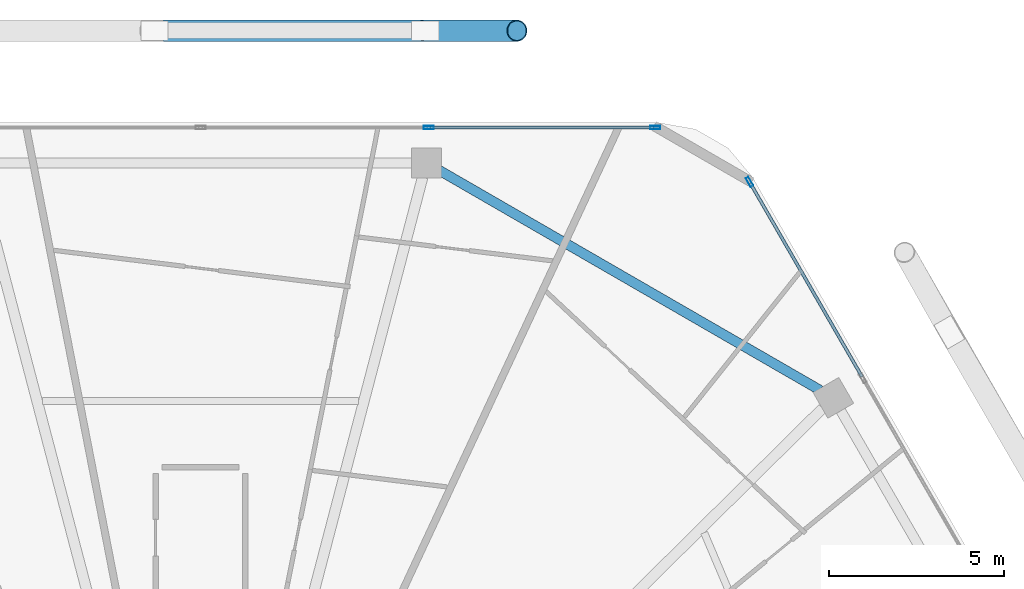
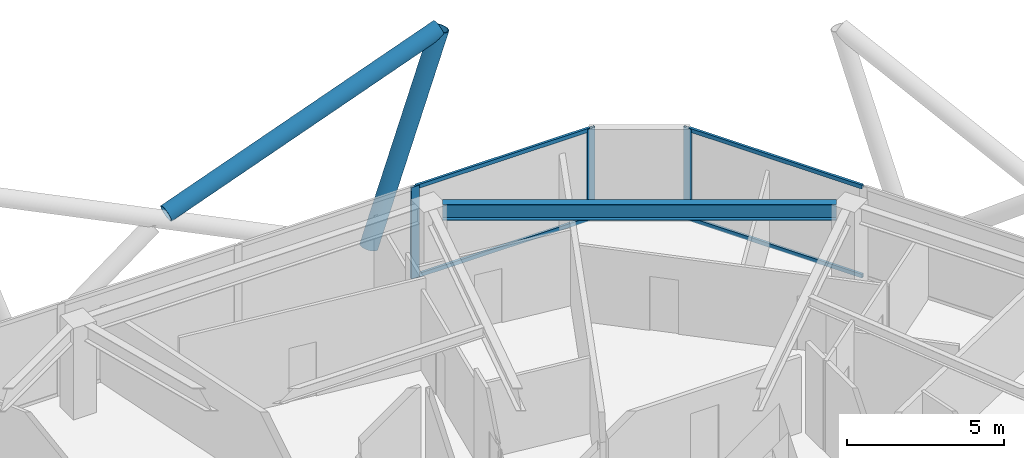
# One storey, part 18 of 29: 9 members, 1 beam, 2 elements without a shape of their own.
"""IFC4 building model written with IfcOpenShell, lengths in metres."""

from ifc_helpers import new_model, si_unit, direction, frame, origin, origin_2d, place, context, subcontext, project, spatial, hollow_rectangle, hollow_circle, i_section, extrude, material, material_profile, profile_set, type_object, element, aggregate, save


model = new_model("IFC4")

# Units and contexts
model_context = context("Model", 3, precision=1e-05, world=origin(), true_north=direction((0.0, 1.0)))
body_context = subcontext(model_context, "Body", "Model", "MODEL_VIEW")
ifc_project = project(units=[si_unit("LENGTHUNIT", "METRE"), si_unit("AREAUNIT", "SQUARE_METRE"), si_unit("VOLUMEUNIT", "CUBIC_METRE"), si_unit("PLANEANGLEUNIT", "RADIAN"), si_unit("MASSUNIT", "GRAM", prefix="KILO")], contexts=[model_context])

# Site, building, storey
site_placement = place(None, origin())
site = spatial("IfcSite", under=ifc_project, at=site_placement, CompositionType="ELEMENT")
building_placement = place(site_placement, origin())
building = spatial("IfcBuilding", under=site, at=building_placement, Name="Zuhravey Tower", CompositionType="ELEMENT")
storey_placement = place(building_placement, frame((0.0, 0.0, 269.199951171875)))
storey = spatial("IfcBuildingStorey", under=building, at=storey_placement, Name="L68", CompositionType="ELEMENT", Elevation=269.199951171875)

# Curtain wall, members
ifc_material_1 = material(Name="Thermally broken anodised aluminium", Category="aluminium")
curtain_wall_type = type_object("IfcCurtainWallType", Name="Zone 3-4 High-Rise Curtain Wall CW4", PredefinedType="NOTDEFINED", material=ifc_material_1)
curtain_wall_1_placement = place(storey_placement, origin())
curtain_wall_1 = element("IfcCurtainWall", 1, at=curtain_wall_1_placement, inside=storey, type_object=curtain_wall_type, Name="L68 CW4 CW-L68-F2-1", PredefinedType="NOTDEFINED")
ifc_material_2 = material(Name="Anodised aluminium", Category="aluminium")
ifc_material_profile_1 = material_profile(ifc_material_2, hollow_rectangle(XDim=0.090087890625, YDim=0.284912109375, WallThickness=0.0048828125, at=origin_2d()), Name="ALU-RHS-90x285x5")
ifc_profile_set_1 = profile_set([ifc_material_profile_1], Name="Anodised aluminium")
member_type_1 = type_object("IfcMemberType", Name="Curtain-Wall Mullion 90x180", PredefinedType="MULLION", material=ifc_profile_set_1)
member_1_placement = place(storey_placement, frame((42.50634765625, 57.563720703125, 0.0), z_axis=(0.0, 0.0, 1.0), x_axis=(0.0, 1.0, 0.0)))
member_1 = element("IfcMember", 2, at=member_1_placement, type_object=member_type_1, Name="CW4 mullion 4", PredefinedType="MULLION", context=body_context, shape_type="SweptSolid", body=[
    extrude(hollow_rectangle(XDim=0.090087890625, YDim=0.284912109375, WallThickness=0.0048828125, at=origin_2d()), origin(), (0.0, 0.0, 1.0), 3.550048828125),
])
member_2_placement = place(storey_placement, frame((48.9677734375, 57.563720703125, 0.0), z_axis=(0.0, 0.0, 1.0), x_axis=(0.0, 1.0, 0.0)))
member_2 = element("IfcMember", 3, at=member_2_placement, type_object=member_type_1, Name="CW4 mullion 5", PredefinedType="MULLION", context=body_context, shape_type="SweptSolid", body=[
    extrude(hollow_rectangle(XDim=0.090087890625, YDim=0.284912109375, WallThickness=0.0048828125, at=origin_2d()), origin(), (0.0, 0.0, 1.0), 3.550048828125),
])

# Curtain wall, member
curtain_wall_2_placement = place(storey_placement, origin())
curtain_wall_2 = element("IfcCurtainWall", 4, at=curtain_wall_2_placement, inside=storey, type_object=curtain_wall_type, Name="L68 CW4 CW-L68-F1-1", PredefinedType="NOTDEFINED")
member_3_placement = place(storey_placement, frame((51.65478515625, 56.01220703125, 0.0), z_axis=(0.0, 0.0, 1.0), x_axis=(0.866024851021, 0.500000957414, 0.0)))
member_3 = element("IfcMember", 5, at=member_3_placement, type_object=member_type_1, Name="CW4 mullion 1", PredefinedType="MULLION", context=body_context, shape_type="SweptSolid", body=[
    extrude(hollow_rectangle(XDim=0.090087890625, YDim=0.284912109375, WallThickness=0.0048828125, at=origin_2d()), origin(), (0.0, 0.0, 1.0), 3.550048828125),
])

# Member
ifc_material_profile_2 = material_profile(ifc_material_2, hollow_rectangle(XDim=0.090087890625, YDim=0.14990234375, WallThickness=0.0048828125, at=origin_2d()), Name="ALU-RHS-90x150x5")
ifc_profile_set_2 = profile_set([ifc_material_profile_2], Name="Anodised aluminium")
member_type_2 = type_object("IfcMemberType", Name="Curtain-Wall Transom 90x150", PredefinedType="USERDEFINED", material=ifc_profile_set_2)
member_4_placement = place(storey_placement, frame((42.55126953125, 57.563720703125, 0.045166015625), z_axis=(1.0, 0.0, 0.0), x_axis=(0.0, 1.0, 0.0)))
member_4 = element("IfcMember", 6, at=member_4_placement, type_object=member_type_2, Name="CW4 transom 4.1", ObjectType="TRANSOM", PredefinedType="USERDEFINED", context=body_context, shape_type="SweptSolid", body=[
    extrude(hollow_rectangle(XDim=0.090087890625, YDim=0.14990234375, WallThickness=0.0048828125, at=origin_2d()), origin(), (0.0, 0.0, 1.0), 6.371337890625),
])

member_5_placement = place(storey_placement, frame((42.55126953125, 57.563720703125, 3.505126953125), z_axis=(1.0, 0.0, 0.0), x_axis=(0.0, 1.0, 0.0)))
member_5 = element("IfcMember", 7, at=member_5_placement, type_object=member_type_2, Name="CW4 transom 4.2", ObjectType="TRANSOM", PredefinedType="USERDEFINED", context=body_context, shape_type="SweptSolid", body=[
    extrude(hollow_rectangle(XDim=0.090087890625, YDim=0.14990234375, WallThickness=0.0048828125, at=origin_2d()), origin(), (0.0, 0.0, 1.0), 6.371337890625),
])

aggregate(curtain_wall_1, [member_1, member_2, member_4, member_5])

member_6_placement = place(storey_placement, frame((51.677490234375, 55.97314453125, 0.045166015625), z_axis=(0.499980071345, -0.866036909293, 0.0), x_axis=(0.866036909293, 0.499980071345, 0.0)))
member_6 = element("IfcMember", 8, at=member_6_placement, type_object=member_type_2, Name="CW4 transom 1.1", ObjectType="TRANSOM", PredefinedType="USERDEFINED", context=body_context, shape_type="SweptSolid", body=[
    extrude(hollow_rectangle(XDim=0.090087890625, YDim=0.14990234375, WallThickness=0.0048828125, at=origin_2d()), origin(), (0.0, 0.0, 1.0), 6.371337890625),
])

member_7_placement = place(storey_placement, frame((51.677490234375, 55.97314453125, 3.505126953125), z_axis=(0.499980071345, -0.866036909293, 0.0), x_axis=(0.866036909293, 0.499980071345, 0.0)))
member_7 = element("IfcMember", 9, at=member_7_placement, type_object=member_type_2, Name="CW4 transom 1.2", ObjectType="TRANSOM", PredefinedType="USERDEFINED", context=body_context, shape_type="SweptSolid", body=[
    extrude(hollow_rectangle(XDim=0.090087890625, YDim=0.14990234375, WallThickness=0.0048828125, at=origin_2d()), origin(), (0.0, 0.0, 1.0), 6.371337890625),
])

aggregate(curtain_wall_2, [member_3, member_6, member_7])

# Members
ifc_material_3 = material(Name="Steel SM355", Category="steel")
ifc_material_profile_3 = material_profile(ifc_material_3, hollow_circle(Radius=0.3046875, WallThickness=0.028076171875, at=origin_2d()), Name="CHS-609.6x28")
ifc_profile_set_3 = profile_set([ifc_material_profile_3], Name="Steel SM355")
member_type_3 = type_object("IfcMemberType", Name="Exoskeleton Zone 3 Diagrid CHS610x28", PredefinedType="BRACE", material=ifc_profile_set_3)
member_8_placement = place(storey_placement, frame((42.413818359375, 60.323486328125, -0.446044921875), z_axis=(0.326050863539, 0.0, 0.945352227683), x_axis=(0.0, 1.0, 0.0)))
element("IfcMember", 10, at=member_8_placement, inside=storey, type_object=member_type_3, Name="L68 Face 2 Diagrid Brace 1", PredefinedType="BRACE", context=body_context, shape_type="SweptSolid", body=[
    extrude(hollow_circle(Radius=0.3046875, WallThickness=0.028076171875, at=origin_2d()), origin(), (0.0, 0.0, 1.0), 8.00146484375),
])
member_9_placement = place(storey_placement, frame((34.96630859375, 60.323486328125, 3.437744140625), z_axis=(0.938612518057, 0.0, 0.344973246712), x_axis=(0.0, 1.0, 0.0)))
element("IfcMember", 11, at=member_9_placement, inside=storey, type_object=member_type_3, Name="L68 Face 2 Split Diagrid Brace 3B", PredefinedType="BRACE", context=body_context, shape_type="SweptSolid", body=[
    extrude(hollow_circle(Radius=0.3046875, WallThickness=0.028076171875, at=origin_2d()), origin(), (0.0, 0.0, 1.0), 10.679931640625),
])

# Beam
ifc_material_profile_4 = material_profile(ifc_material_3, i_section(OverallWidth=0.280029296875, OverallDepth=0.6201171875, WebThickness=0.011962890625, FlangeThickness=0.02001953125, at=origin_2d()), Name="H-620x280x12x20")
ifc_profile_set_4 = profile_set([ifc_material_profile_4], Name="Steel SM355")
beam_type = type_object("IfcBeamType", Name="Perimeter Ring Beam H620x280", PredefinedType="BEAM", material=ifc_profile_set_4)
beam_placement = place(storey_placement, frame((53.6728515625, 50.068603515625, 3.239990234375), z_axis=(-0.866018312875, 0.500012281615, 0.0), x_axis=(-0.500012281615, -0.866018312875, 0.0)))
element("IfcBeam", 12, at=beam_placement, inside=storey, type_object=beam_type, Name="L68 PB3 BM-L68-PB-02", PredefinedType="BEAM", context=body_context, shape_type="SweptSolid", body=[
    extrude(i_section(OverallWidth=0.280029296875, OverallDepth=0.6201171875, WebThickness=0.011962890625, FlangeThickness=0.02001953125, at=origin_2d()), origin(), (0.0, 0.0, 1.0), 12.541748046875),
])

save(model, "model.ifc")
